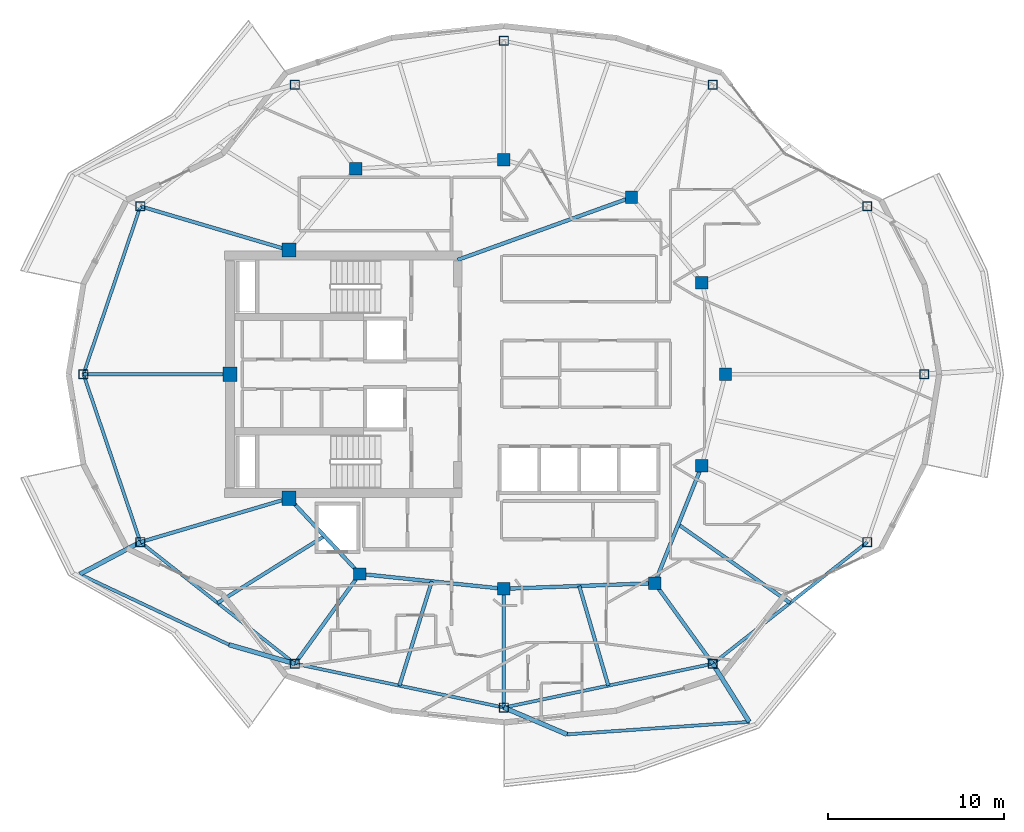
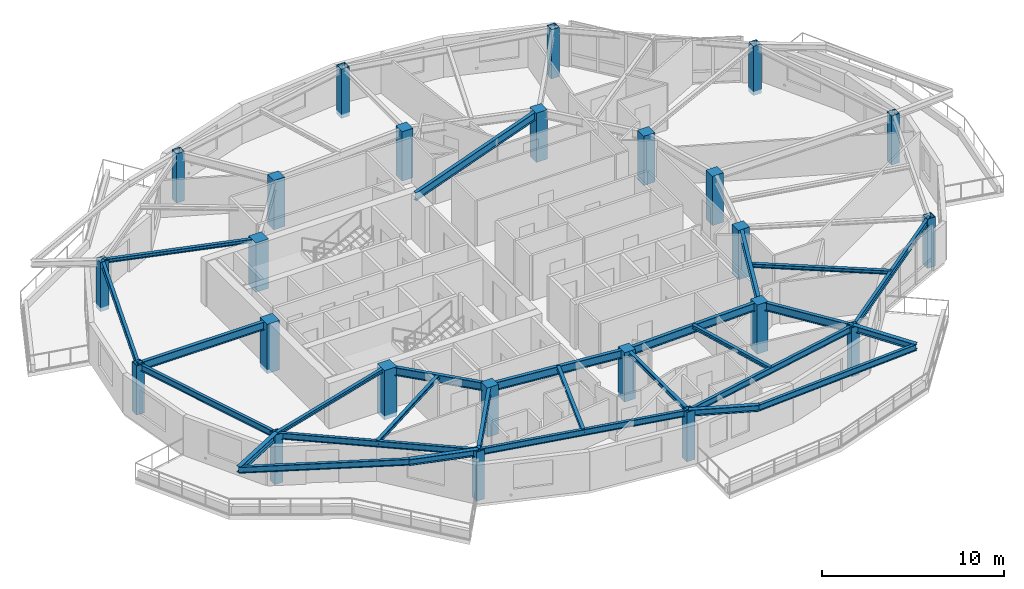
# One storey, part 1 of 14: 27 beams, 24 columns.
"""IFC4 building model written with IfcOpenShell, lengths in metres."""

from ifc_helpers import new_model, si_unit, direction, frame, origin, origin_2d, place, context, subcontext, project, spatial, rectangle, hollow_rectangle, i_section, extrude, material, material_profile, profile_set, type_object, element, save


model = new_model("IFC4")

# Units and contexts
model_context = context("Model", 3, precision=1e-05, world=origin(), true_north=direction((0.0, 1.0)))
body_context = subcontext(model_context, "Body", "Model", "MODEL_VIEW")
ifc_project = project(units=[si_unit("LENGTHUNIT", "METRE"), si_unit("AREAUNIT", "SQUARE_METRE"), si_unit("VOLUMEUNIT", "CUBIC_METRE"), si_unit("PLANEANGLEUNIT", "RADIAN"), si_unit("MASSUNIT", "GRAM", prefix="KILO")], contexts=[model_context])

# Site, building, storey
site_placement = place(None, origin())
site = spatial("IfcSite", under=ifc_project, at=site_placement, CompositionType="ELEMENT")
building_placement = place(site_placement, origin())
building = spatial("IfcBuilding", under=site, at=building_placement, Name="Kolvaren Gate Tower and Convention Centre", CompositionType="ELEMENT")
storey_placement = place(building_placement, frame((0.0, 0.0, 232.699951171875)))
storey = spatial("IfcBuildingStorey", under=building, at=storey_placement, Name="L62", CompositionType="ELEMENT", Elevation=232.699951171875)

# Columns
ifc_material_1 = material(Name="Structural steel ASTM A500 Grade C 345 MPa", Category="steel")
ifc_material_profile_1 = material_profile(ifc_material_1, hollow_rectangle(XDim=0.508056640625, YDim=0.508056640625, WallThickness=0.01904296875, at=origin_2d()), Name="HSS508X508X19.1")
ifc_profile_set_1 = profile_set([ifc_material_profile_1], Name="Structural steel ASTM A500 Grade C 345 MPa")
column_type_1 = type_object("IfcColumnType", Name="STR-COL-HSS508", PredefinedType="COLUMN", material=ifc_profile_set_1)
for number, where, z_axis, x_axis, name in (
    (1, (54.02490234375, 27.0, -0.27001953125), (0.0, 0.0, 1.0), (1.0, 0.0, 0.0), "Tower L62 Perimeter Supercolumn TP-01"),
    (2, (50.787353515625, 36.543701171875, -0.27001953125), (0.0, 0.0, 1.0), (1.0, 0.0, 0.0), "Tower L62 Perimeter Supercolumn TP-02"),
    (3, (42.002685546875, 43.4580078125, -0.27001953125), (0.0, 0.0, 1.0), (1.0, 0.0, 0.0), "Tower L62 Perimeter Supercolumn TP-03"),
    (4, (30.125, 45.949951171875, -0.27001953125), (0.0, 0.0, 1.0), (1.0, 0.0, 0.0), "Tower L62 Perimeter Supercolumn TP-04"),
    (5, (18.247314453125, 43.4580078125, -0.27001953125), (0.0, 0.0, 1.0), (1.0, 0.0, 0.0), "Tower L62 Perimeter Supercolumn TP-05"),
    (6, (9.462646484375, 36.543701171875, -0.27001953125), (0.0, 0.0, 1.0), (1.0, 0.0, 0.0), "Tower L62 Perimeter Supercolumn TP-06"),
    (7, (6.22509765625, 27.0, -0.27001953125), (0.0, 0.0, 1.0), (1.0, 0.0, 0.0), "Tower L62 Perimeter Supercolumn TP-07"),
    (8, (9.462646484375, 17.456298828125, -0.27001953125), (0.0, 0.0, 1.0), (1.0, 0.0, 0.0), "Tower L62 Perimeter Supercolumn TP-08"),
    (9, (18.247314453125, 10.5419921875, -0.27001953125), (0.0, 0.0, 1.0), (1.0, 0.0, 0.0), "Tower L62 Perimeter Supercolumn TP-09"),
    (10, (30.125, 8.050048828125, -0.27001953125), (0.0, 0.0, 1.0), (1.0, 0.0, 0.0), "Tower L62 Perimeter Supercolumn TP-10"),
    (11, (42.002685546875, 10.5419921875, -0.27001953125), (0.0, 0.0, 1.0), (1.0, 0.0, 0.0), "Tower L62 Perimeter Supercolumn TP-11"),
    (12, (50.787353515625, 17.456298828125, -0.27001953125), (0.0, 0.0, 1.0), (1.0, 0.0, 0.0), "Tower L62 Perimeter Supercolumn TP-12"),
):
    element("IfcColumn", number, at=place(storey_placement, frame(where, z_axis=z_axis, x_axis=x_axis)), inside=storey, type_object=column_type_1, Name=name, PredefinedType="COLUMN", context=body_context, shape_type="SweptSolid", body=[
        extrude(hollow_rectangle(XDim=0.508056640625, YDim=0.508056640625, WallThickness=0.01904296875, at=origin_2d()), origin(), (0.0, 0.0, 1.0), 3.300048828125),
    ])
ifc_material_2 = material(Name="Concrete C50/60", Category="concrete")
ifc_material_profile_2 = material_profile(ifc_material_2, rectangle(XDim=0.699951171875, YDim=0.699951171875, at=origin_2d()), Name="RC-COL-700X700")
ifc_profile_set_2 = profile_set([ifc_material_profile_2], Name="Concrete C50/60")
column_type_2 = type_object("IfcColumnType", Name="STR-COL-RC700", PredefinedType="COLUMN", material=ifc_profile_set_2)
for number, where, z_axis, x_axis, name in (
    (13, (42.72509765625, 27.0, -0.27001953125), (0.0, 0.0, 1.0), (1.0, 0.0, 0.0), "Tower L62 Interior Column TI-01"),
    (14, (41.382080078125, 32.199462890625, -0.27001953125), (0.0, 0.0, 1.0), (1.0, 0.0, 0.0), "Tower L62 Interior Column TI-02"),
    (15, (37.381591796875, 37.054931640625, -0.27001953125), (0.0, 0.0, 1.0), (1.0, 0.0, 0.0), "Tower L62 Interior Column TI-03"),
    (16, (30.125, 39.199951171875, -0.27001953125), (0.0, 0.0, 1.0), (1.0, 0.0, 0.0), "Tower L62 Interior Column TI-04"),
    (17, (21.697998046875, 38.6767578125, -0.27001953125), (0.0, 0.0, 1.0), (1.0, 0.0, 0.0), "Tower L62 Interior Column TI-05"),
    (18, (21.93212890625, 15.647705078125, -0.27001953125), (0.0, 0.0, 1.0), (1.0, 0.0, 0.0), "Tower L62 Interior Column TI-06"),
    (19, (30.125, 14.800048828125, -0.27001953125), (0.0, 0.0, 1.0), (1.0, 0.0, 0.0), "Tower L62 Interior Column TI-07"),
    (20, (38.6982421875, 15.12060546875, -0.27001953125), (0.0, 0.0, 1.0), (1.0, 0.0, 0.0), "Tower L62 Interior Column TI-08"),
    (21, (41.382080078125, 21.800537109375, -0.27001953125), (0.0, 0.0, 1.0), (1.0, 0.0, 0.0), "Tower L62 Interior Column TI-09"),
):
    element("IfcColumn", number, at=place(storey_placement, frame(where, z_axis=z_axis, x_axis=x_axis)), inside=storey, type_object=column_type_2, Name=name, PredefinedType="COLUMN", context=body_context, shape_type="SweptSolid", body=[
        extrude(rectangle(XDim=0.699951171875, YDim=0.699951171875, at=origin_2d()), origin(), (0.0, 0.0, 1.0), 3.300048828125),
    ])
ifc_material_3 = material(Name="Concrete C60/75", Category="concrete")
ifc_material_profile_3 = material_profile(ifc_material_3, rectangle(XDim=0.800048828125, YDim=0.800048828125, at=origin_2d()), Name="RC-COL-800X800")
ifc_profile_set_3 = profile_set([ifc_material_profile_3], Name="Concrete C60/75")
column_type_3 = type_object("IfcColumnType", Name="STR-PIL-RC800", PredefinedType="PILASTER", material=ifc_profile_set_3)
for number, where, z_axis, x_axis, name in (
    (22, (17.9140625, 34.050048828125, -0.27001953125), (0.0, 0.0, 1.0), (1.0, 0.0, 0.0), "Tower L62 Core Boundary Pilaster TC-05"),
    (23, (14.550048828125, 27.0, -0.27001953125), (0.0, 0.0, 1.0), (1.0, 0.0, 0.0), "Tower L62 Core Boundary Pilaster TC-06"),
    (24, (17.9140625, 19.949951171875, -0.27001953125), (0.0, 0.0, 1.0), (1.0, 0.0, 0.0), "Tower L62 Core Boundary Pilaster TC-07"),
):
    element("IfcColumn", number, at=place(storey_placement, frame(where, z_axis=z_axis, x_axis=x_axis)), inside=storey, type_object=column_type_3, Name=name, PredefinedType="PILASTER", context=body_context, shape_type="SweptSolid", body=[
        extrude(rectangle(XDim=0.800048828125, YDim=0.800048828125, at=origin_2d()), origin(), (0.0, 0.0, 1.0), 3.300048828125),
    ])

# Beams
ifc_material_4 = material(Name="Structural steel ASTM A992 Grade 345 MPa", Category="steel")
ifc_material_profile_4 = material_profile(ifc_material_4, i_section(OverallWidth=0.260009765625, OverallDepth=0.419921875, WebThickness=0.013427734375, FlangeThickness=0.0224609375, at=origin_2d()), Name="W410X132")
ifc_profile_set_4 = profile_set([ifc_material_profile_4], Name="Structural steel ASTM A992 Grade 345 MPa")
beam_type_1 = type_object("IfcBeamType", Name="STR-BM-W410X132", PredefinedType="BEAM", material=ifc_profile_set_4)
for number, where, z_axis, x_axis, name in (
    (25, (9.462646484375, 17.456298828125, 2.820556640625), (-0.88362340532, -0.468198331448, 0.0), (0.468198331448, -0.88362340532, 0.0), "Tower L63 Planted Balcony Outrigger Cantilever BC-2A"),
    (26, (18.247314453125, 10.5419921875, 2.820556640625), (-0.960795374216, 0.277258451421, 0.0), (-0.277258451421, -0.960795374216, 0.0), "Tower L63 Planted Balcony Outrigger Cantilever BC-2B"),
    (27, (30.125, 8.050048828125, 2.820556640625), (0.920415965842, -0.390940468386, 0.0), (0.390940468386, 0.920415965842, 0.0), "Tower L63 Planted Balcony Outrigger Cantilever BC-3A"),
    (28, (42.002685546875, 10.5419921875, 2.820556640625), (0.531225067521, -0.847230740494, 0.0), (0.847230740494, 0.531225067521, 0.0), "Tower L63 Planted Balcony Outrigger Cantilever BC-3B"),
):
    element("IfcBeam", number, at=place(storey_placement, frame(where, z_axis=z_axis, x_axis=x_axis)), inside=storey, type_object=beam_type_1, Name=name, PredefinedType="BEAM", context=body_context, shape_type="SweptSolid", body=[
        extrude(i_section(OverallWidth=0.260009765625, OverallDepth=0.419921875, WebThickness=0.013427734375, FlangeThickness=0.0224609375, at=origin_2d()), origin(), (0.0, 0.0, 1.0), 3.89990234375),
    ])
ifc_material_profile_5 = material_profile(ifc_material_4, i_section(OverallWidth=0.2119140625, OverallDepth=0.5439453125, WebThickness=0.01318359375, FlangeThickness=0.021240234375, at=origin_2d()), Name="W530X123")
ifc_profile_set_5 = profile_set([ifc_material_profile_5], Name="Structural steel ASTM A992 Grade 345 MPa")
beam_type_2 = type_object("IfcBeamType", Name="STR-BM-W530X123", PredefinedType="BEAM", material=ifc_profile_set_5)
beam_1_placement = place(storey_placement, frame((17.9140625, 19.949951171875, 2.758056640625), z_axis=(0.682557592987, -0.730831808459, 0.0), x_axis=(0.730831808459, 0.682557592987, 0.0)))
element("IfcBeam", 29, at=beam_1_placement, inside=storey, type_object=beam_type_2, Name="Tower L62 Primary Ring Girder G-06", PredefinedType="BEAM", context=body_context, shape_type="SweptSolid", body=[
    extrude(i_section(OverallWidth=0.2119140625, OverallDepth=0.5439453125, WebThickness=0.01318359375, FlangeThickness=0.021240234375, at=origin_2d()), origin(), (0.0, 0.0, 1.0), 5.88671875),
])
beam_2_placement = place(storey_placement, frame((21.93212890625, 15.647705078125, 2.758056640625), z_axis=(0.994690329115, -0.102913308978, 0.0), x_axis=(0.102913308978, 0.994690329115, 0.0)))
element("IfcBeam", 30, at=beam_2_placement, inside=storey, type_object=beam_type_2, Name="Tower L62 Primary Ring Girder G-07", PredefinedType="BEAM", context=body_context, shape_type="SweptSolid", body=[
    extrude(i_section(OverallWidth=0.2119140625, OverallDepth=0.5439453125, WebThickness=0.01318359375, FlangeThickness=0.021240234375, at=origin_2d()), origin(), (0.0, 0.0, 1.0), 8.236572265625),
])
beam_3_placement = place(storey_placement, frame((30.125, 14.800048828125, 2.758056640625), z_axis=(0.999301712453, 0.037364254142, 0.0), x_axis=(-0.037364254142, 0.999301712453, 0.0)))
element("IfcBeam", 31, at=beam_3_placement, inside=storey, type_object=beam_type_2, Name="Tower L62 Primary Ring Girder G-08", PredefinedType="BEAM", context=body_context, shape_type="SweptSolid", body=[
    extrude(i_section(OverallWidth=0.2119140625, OverallDepth=0.5439453125, WebThickness=0.01318359375, FlangeThickness=0.021240234375, at=origin_2d()), origin(), (0.0, 0.0, 1.0), 8.579345703125),
])
beam_4_placement = place(storey_placement, frame((38.6982421875, 15.12060546875, 2.758056640625), z_axis=(0.372811100169, 0.927907260232, 0.0), x_axis=(-0.927907260232, 0.372811100169, 0.0)))
element("IfcBeam", 32, at=beam_4_placement, inside=storey, type_object=beam_type_2, Name="Tower L62 Primary Ring Girder G-09", PredefinedType="BEAM", context=body_context, shape_type="SweptSolid", body=[
    extrude(i_section(OverallWidth=0.2119140625, OverallDepth=0.5439453125, WebThickness=0.01318359375, FlangeThickness=0.021240234375, at=origin_2d()), origin(), (0.0, 0.0, 1.0), 7.198974609375),
])
beam_5_placement = place(storey_placement, frame((27.5, 33.5, 2.758056640625), z_axis=(0.940961479908, 0.338513653093, 0.0), x_axis=(-0.338513653093, 0.940961479908, 0.0)))
element("IfcBeam", 33, at=beam_5_placement, inside=storey, type_object=beam_type_2, Name="Tower L62 Primary Ring Girder G-10", PredefinedType="BEAM", context=body_context, shape_type="SweptSolid", body=[
    extrude(i_section(OverallWidth=0.2119140625, OverallDepth=0.5439453125, WebThickness=0.01318359375, FlangeThickness=0.021240234375, at=origin_2d()), origin(), (0.0, 0.0, 1.0), 10.501708984375),
])
beam_6_placement = place(storey_placement, frame((14.550048828125, 27.0, 2.758056640625), z_axis=(-1.0, 0.0, 0.0), x_axis=(0.0, -1.0, 0.0)))
element("IfcBeam", 34, at=beam_6_placement, inside=storey, type_object=beam_type_2, Name="Tower L62 Radial Floor Girder RB-07", PredefinedType="BEAM", context=body_context, shape_type="SweptSolid", body=[
    extrude(i_section(OverallWidth=0.2119140625, OverallDepth=0.5439453125, WebThickness=0.01318359375, FlangeThickness=0.021240234375, at=origin_2d()), origin(), (0.0, 0.0, 1.0), 8.324951171875),
])
beam_7_placement = place(storey_placement, frame((21.93212890625, 15.647705078125, 2.758056640625), z_axis=(-0.585214462319, -0.810878556316, 0.0), x_axis=(0.810878556316, -0.585214462319, 0.0)))
element("IfcBeam", 35, at=beam_7_placement, inside=storey, type_object=beam_type_2, Name="Tower L62 Radial Floor Girder RB-09", PredefinedType="BEAM", context=body_context, shape_type="SweptSolid", body=[
    extrude(i_section(OverallWidth=0.2119140625, OverallDepth=0.5439453125, WebThickness=0.01318359375, FlangeThickness=0.021240234375, at=origin_2d()), origin(), (0.0, 0.0, 1.0), 6.296630859375),
])
beam_8_placement = place(storey_placement, frame((38.6982421875, 15.12060546875, 2.758056640625), z_axis=(0.585218993275, -0.810875286286, 0.0), x_axis=(0.810875286286, 0.585218993275, 0.0)))
element("IfcBeam", 36, at=beam_8_placement, inside=storey, type_object=beam_type_2, Name="Tower L62 Radial Floor Girder RB-11", PredefinedType="BEAM", context=body_context, shape_type="SweptSolid", body=[
    extrude(i_section(OverallWidth=0.2119140625, OverallDepth=0.5439453125, WebThickness=0.01318359375, FlangeThickness=0.021240234375, at=origin_2d()), origin(), (0.0, 0.0, 1.0), 5.646484375),
])
ifc_material_profile_6 = material_profile(ifc_material_4, i_section(OverallWidth=0.202880859375, OverallDepth=0.251953125, WebThickness=0.008056640625, FlangeThickness=0.013427734375, at=origin_2d()), Name="W250X58")
ifc_profile_set_6 = profile_set([ifc_material_profile_6], Name="Structural steel ASTM A992 Grade 345 MPa")
beam_type_3 = type_object("IfcBeamType", Name="STR-JS-W250X58", PredefinedType="JOIST", material=ifc_profile_set_6)
for number, where, z_axis, x_axis, name in (
    (37, (17.9140625, 34.050048828125, 2.904052734375), (-0.959121165581, 0.28299574155, 0.0), (-0.28299574155, -0.959121165581, 0.0), "Tower L62 Radial Floor Girder RB-06"),
    (38, (17.9140625, 19.949951171875, 2.904052734375), (-0.959121165581, -0.28299574155, 0.0), (0.28299574155, -0.959121165581, 0.0), "Tower L62 Radial Floor Girder RB-08"),
):
    element("IfcBeam", number, at=place(storey_placement, frame(where, z_axis=z_axis, x_axis=x_axis)), inside=storey, type_object=beam_type_3, Name=name, PredefinedType="JOIST", context=body_context, shape_type="SweptSolid", body=[
        extrude(i_section(OverallWidth=0.202880859375, OverallDepth=0.251953125, WebThickness=0.008056640625, FlangeThickness=0.013427734375, at=origin_2d()), origin(), (0.0, 0.0, 1.0), 8.8115234375),
    ])
beam_9_placement = place(storey_placement, frame((30.125, 14.800048828125, 2.904052734375), z_axis=(0.0, -1.0, 0.0), x_axis=(1.0, 0.0, 0.0)))
element("IfcBeam", 39, at=beam_9_placement, inside=storey, type_object=beam_type_3, Name="Tower L62 Radial Floor Girder RB-10", PredefinedType="JOIST", context=body_context, shape_type="SweptSolid", body=[
    extrude(i_section(OverallWidth=0.202880859375, OverallDepth=0.251953125, WebThickness=0.008056640625, FlangeThickness=0.013427734375, at=origin_2d()), origin(), (0.0, 0.0, 1.0), 6.75),
])
beam_10_placement = place(storey_placement, frame((19.923095703125, 17.798828125, 2.904052734375), z_axis=(-0.847559309278, -0.530700685186, 0.0), x_axis=(0.530700685186, -0.847559309278, 0.0)))
element("IfcBeam", 40, at=beam_10_placement, inside=storey, type_object=beam_type_3, Name="Tower L62 Secondary Composite Floor Joist J-08.1", PredefinedType="JOIST", context=body_context, shape_type="SweptSolid", body=[
    extrude(i_section(OverallWidth=0.202880859375, OverallDepth=0.251953125, WebThickness=0.008056640625, FlangeThickness=0.013427734375, at=origin_2d()), origin(), (0.0, 0.0, 1.0), 7.159423828125),
])
beam_11_placement = place(storey_placement, frame((26.028564453125, 15.223876953125, 2.904052734375), z_axis=(-0.296776485487, -0.954946971126, 0.0), x_axis=(0.954946971126, -0.296776485487, 0.0)))
element("IfcBeam", 41, at=beam_11_placement, inside=storey, type_object=beam_type_3, Name="Tower L62 Secondary Composite Floor Joist J-09.1", PredefinedType="JOIST", context=body_context, shape_type="SweptSolid", body=[
    extrude(i_section(OverallWidth=0.202880859375, OverallDepth=0.251953125, WebThickness=0.008056640625, FlangeThickness=0.013427734375, at=origin_2d()), origin(), (0.0, 0.0, 1.0), 6.207763671875),
])
beam_12_placement = place(storey_placement, frame((34.41162109375, 14.960205078125, 2.904052734375), z_axis=(0.280001588896, -0.959999536571, 0.0), x_axis=(0.959999536571, 0.280001588896, 0.0)))
element("IfcBeam", 42, at=beam_12_placement, inside=storey, type_object=beam_type_3, Name="Tower L62 Secondary Composite Floor Joist J-10.1", PredefinedType="JOIST", context=body_context, shape_type="SweptSolid", body=[
    extrude(i_section(OverallWidth=0.202880859375, OverallDepth=0.251953125, WebThickness=0.008056640625, FlangeThickness=0.013427734375, at=origin_2d()), origin(), (0.0, 0.0, 1.0), 5.900390625),
])
beam_13_placement = place(storey_placement, frame((40.040283203125, 18.46044921875, 2.904052734375), z_axis=(0.81845266589, -0.574573958423, 0.0), x_axis=(0.574573958423, 0.81845266589, 0.0)))
element("IfcBeam", 43, at=beam_13_placement, inside=storey, type_object=beam_type_3, Name="Tower L62 Secondary Composite Floor Joist J-11.1", PredefinedType="JOIST", context=body_context, shape_type="SweptSolid", body=[
    extrude(i_section(OverallWidth=0.202880859375, OverallDepth=0.251953125, WebThickness=0.008056640625, FlangeThickness=0.013427734375, at=origin_2d()), origin(), (0.0, 0.0, 1.0), 7.764404296875),
])
ifc_material_profile_7 = material_profile(ifc_material_4, i_section(OverallWidth=0.180908203125, OverallDepth=0.4169921875, WebThickness=0.010986328125, FlangeThickness=0.018310546875, at=origin_2d()), Name="W410X85")
ifc_profile_set_7 = profile_set([ifc_material_profile_7], Name="Structural steel ASTM A992 Grade 345 MPa")
beam_type_4 = type_object("IfcBeamType", Name="STR-SP-W410X85", PredefinedType="SPANDREL", material=ifc_profile_set_7)
for number, where, z_axis, x_axis, name in (
    (44, (9.462646484375, 36.543701171875, 2.821533203125), (-0.321252507379, -0.946993572577, 0.0), (0.946993572577, -0.321252507379, 0.0), "Tower L62 Perimeter Spandrel Beam SP-06"),
    (45, (6.22509765625, 27.0, 2.821533203125), (0.321252507379, -0.946993572577, 0.0), (0.946993572577, 0.321252507379, 0.0), "Tower L62 Perimeter Spandrel Beam SP-07"),
):
    element("IfcBeam", number, at=place(storey_placement, frame(where, z_axis=z_axis, x_axis=x_axis)), inside=storey, type_object=beam_type_4, Name=name, PredefinedType="SPANDREL", context=body_context, shape_type="SweptSolid", body=[
        extrude(i_section(OverallWidth=0.180908203125, OverallDepth=0.4169921875, WebThickness=0.010986328125, FlangeThickness=0.018310546875, at=origin_2d()), origin(), (0.0, 0.0, 1.0), 10.077880859375),
    ])
beam_14_placement = place(storey_placement, frame((9.462646484375, 17.456298828125, 2.821533203125), z_axis=(0.78579365551, -0.618488747643, 0.0), x_axis=(0.618488747643, 0.78579365551, 0.0)))
element("IfcBeam", 46, at=beam_14_placement, inside=storey, type_object=beam_type_4, Name="Tower L62 Perimeter Spandrel Beam SP-08", PredefinedType="SPANDREL", context=body_context, shape_type="SweptSolid", body=[
    extrude(i_section(OverallWidth=0.180908203125, OverallDepth=0.4169921875, WebThickness=0.010986328125, FlangeThickness=0.018310546875, at=origin_2d()), origin(), (0.0, 0.0, 1.0), 11.179443359375),
])
for number, where, z_axis, x_axis, name in (
    (47, (18.247314453125, 10.5419921875, 2.821533203125), (0.978692765917, -0.205330148645, 0.0), (0.205330148645, 0.978692765917, 0.0), "Tower L62 Perimeter Spandrel Beam SP-09"),
    (48, (30.125, 8.050048828125, 2.821533203125), (0.978692765917, 0.205330148645, 0.0), (-0.205330148645, 0.978692765917, 0.0), "Tower L62 Perimeter Spandrel Beam SP-10"),
):
    element("IfcBeam", number, at=place(storey_placement, frame(where, z_axis=z_axis, x_axis=x_axis)), inside=storey, type_object=beam_type_4, Name=name, PredefinedType="SPANDREL", context=body_context, shape_type="SweptSolid", body=[
        extrude(i_section(OverallWidth=0.180908203125, OverallDepth=0.4169921875, WebThickness=0.010986328125, FlangeThickness=0.018310546875, at=origin_2d()), origin(), (0.0, 0.0, 1.0), 12.13623046875),
    ])
beam_15_placement = place(storey_placement, frame((42.002685546875, 10.5419921875, 2.821533203125), z_axis=(0.78579365551, 0.618488747643, 0.0), x_axis=(-0.618488747643, 0.78579365551, 0.0)))
element("IfcBeam", 49, at=beam_15_placement, inside=storey, type_object=beam_type_4, Name="Tower L62 Perimeter Spandrel Beam SP-11", PredefinedType="SPANDREL", context=body_context, shape_type="SweptSolid", body=[
    extrude(i_section(OverallWidth=0.180908203125, OverallDepth=0.4169921875, WebThickness=0.010986328125, FlangeThickness=0.018310546875, at=origin_2d()), origin(), (0.0, 0.0, 1.0), 11.179443359375),
])
beam_16_placement = place(storey_placement, frame((6.0166015625, 15.63037109375, 2.822021484375), z_axis=(0.90421096583, -0.427086091173, 0.0), x_axis=(0.427086091173, 0.90421096583, 0.0)))
element("IfcBeam", 50, at=beam_16_placement, inside=storey, type_object=beam_type_4, Name="Tower L63 Planted Balcony Header Tie Beam BT-2", PredefinedType="SPANDREL", context=body_context, shape_type="SweptSolid", body=[
    extrude(i_section(OverallWidth=0.180908203125, OverallDepth=0.4169921875, WebThickness=0.010986328125, FlangeThickness=0.018310546875, at=origin_2d()), origin(), (0.0, 0.0, 1.0), 9.38232421875),
])
beam_17_placement = place(storey_placement, frame((33.714599609375, 6.525390625, 2.822021484375), z_axis=(0.997643997623, 0.068603600534, 0.0), x_axis=(-0.068603600534, 0.997643997623, 0.0)))
element("IfcBeam", 51, at=beam_17_placement, inside=storey, type_object=beam_type_4, Name="Tower L63 Planted Balcony Header Tie Beam BT-3", PredefinedType="SPANDREL", context=body_context, shape_type="SweptSolid", body=[
    extrude(i_section(OverallWidth=0.180908203125, OverallDepth=0.4169921875, WebThickness=0.010986328125, FlangeThickness=0.018310546875, at=origin_2d()), origin(), (0.0, 0.0, 1.0), 10.38427734375),
])

save(model, "model.ifc")
